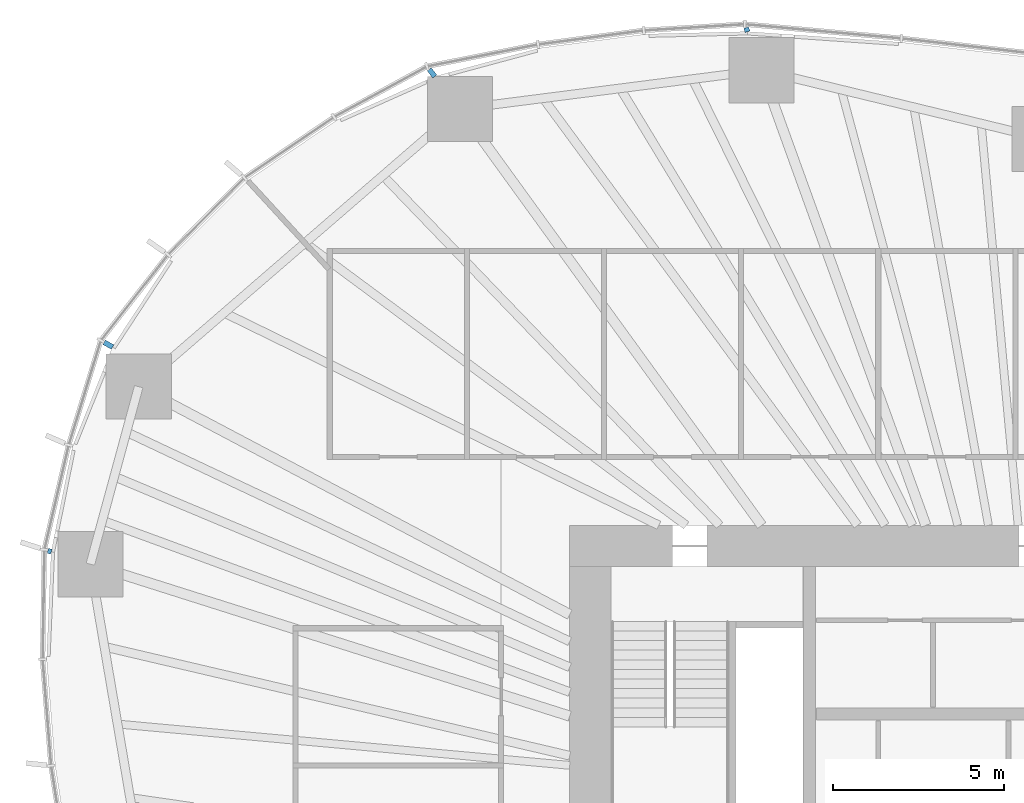
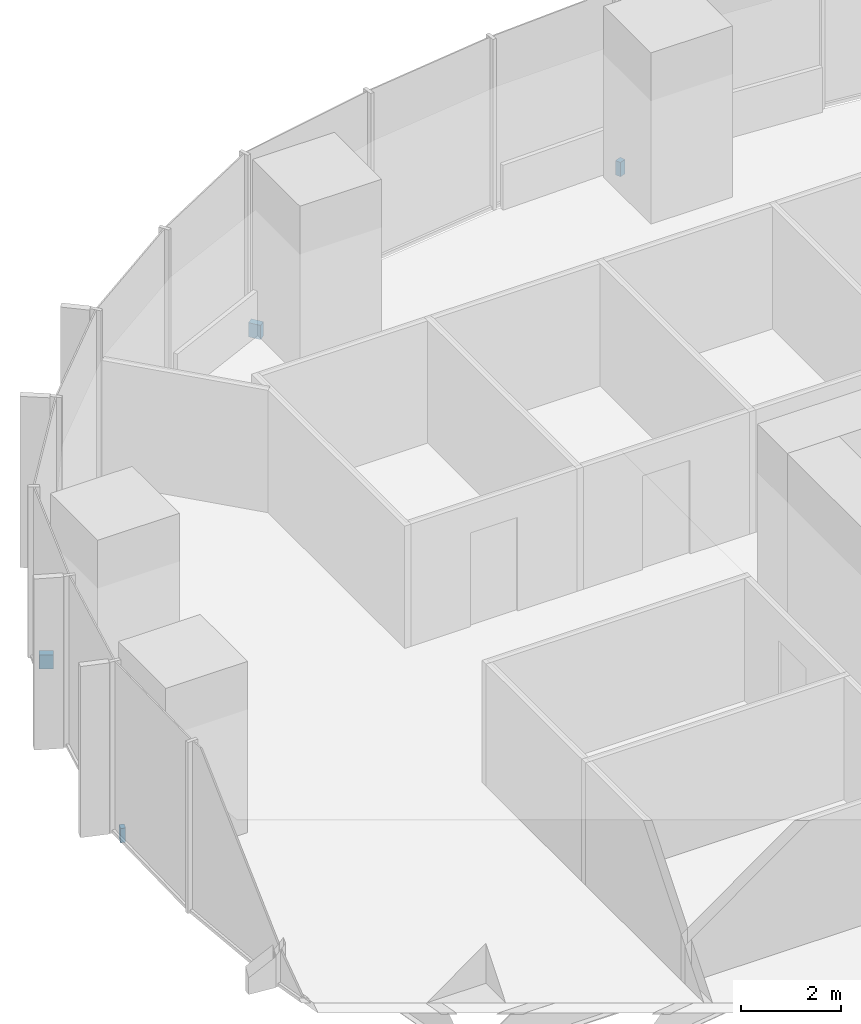
# One storey, part 15 of 20: 4 discrete accessories.
"""IFC4 building model written with IfcOpenShell, lengths in metres."""

from ifc_helpers import new_model, si_unit, direction, frame, origin, origin_2d, place, context, subcontext, project, spatial, rectangle, extrude, material, type_object, element, save


model = new_model("IFC4")

# Units and contexts
model_context = context("Model", 3, precision=1e-05, world=origin(), true_north=direction((0.0, 1.0)))
body_context = subcontext(model_context, "Body", "Model", "MODEL_VIEW")
ifc_project = project(units=[si_unit("LENGTHUNIT", "METRE"), si_unit("AREAUNIT", "SQUARE_METRE"), si_unit("VOLUMEUNIT", "CUBIC_METRE"), si_unit("PLANEANGLEUNIT", "RADIAN"), si_unit("MASSUNIT", "GRAM", prefix="KILO")], contexts=[model_context])

# Site, building, storey
site_placement = place(None, origin())
site = spatial("IfcSite", under=ifc_project, at=site_placement, CompositionType="ELEMENT")
building_placement = place(site_placement, origin())
building = spatial("IfcBuilding", under=site, at=building_placement, Name="Ghaith Harvest Tower", CompositionType="ELEMENT")
storey_placement = place(building_placement, frame((0.0, 0.0, 109.199951171875)))
storey = spatial("IfcBuildingStorey", under=building, at=storey_placement, Name="L22", CompositionType="ELEMENT", Elevation=109.199951171875)

# Discrete accessories
ifc_material_1 = material(Name="Stainless steel grade 1.4401", Category="steel")
discrete_accessory_type_1 = type_object("IfcDiscreteAccessoryType", Name="CURTAIN WALL BRACKET 105", PredefinedType="BRACKET", material=ifc_material_1)
discrete_accessory_1_placement = place(storey_placement, frame((-29.171875, 9.2451171875, -0.25), z_axis=(0.0, 0.0, 1.0), x_axis=(-0.953273219358, 0.302109531884, 0.0)))
element("IfcDiscreteAccessory", 1, at=discrete_accessory_1_placement, inside=storey, type_object=discrete_accessory_type_1, Name="CW-L bracket 1 bay 10 L22", PredefinedType="BRACKET", context=body_context, shape_type="SweptSolid", body=[
    extrude(rectangle(XDim=0.10498046875, YDim=0.14990234375, at=origin_2d()), origin(), (0.0, 0.0, 1.0), 0.35009765625),
])
ifc_material_2 = material(Name="Stainless steel grade 1.4401", Category="steel")
discrete_accessory_type_2 = type_object("IfcDiscreteAccessoryType", Name="CURTAIN WALL BRACKET 125", PredefinedType="BRACKET", material=ifc_material_2)
discrete_accessory_2_placement = place(storey_placement, frame((-8.833984375, 24.45849609375, -0.25), z_axis=(0.0, 0.0, 1.0), x_axis=(-0.339699453402, 0.94053404051, 0.0)))
element("IfcDiscreteAccessory", 2, at=discrete_accessory_2_placement, inside=storey, type_object=discrete_accessory_type_2, Name="CW-L bracket 1 bay 07 L22", PredefinedType="BRACKET", context=body_context, shape_type="SweptSolid", body=[
    extrude(rectangle(XDim=0.125, YDim=0.14990234375, at=origin_2d()), origin(), (0.0, 0.0, 1.0), 0.35009765625),
])
ifc_material_3 = material(Name="Stainless steel grade 1.4401", Category="steel")
discrete_accessory_type_3 = type_object("IfcDiscreteAccessoryType", Name="CURTAIN WALL BRACKET 265", PredefinedType="BRACKET", material=ifc_material_3)
discrete_accessory_3_placement = place(storey_placement, frame((-18.0166015625, 23.197998046875, -0.25), z_axis=(0.0, 0.0, 1.0), x_axis=(-0.613377714422, 0.78978970584, 0.0)))
element("IfcDiscreteAccessory", 3, at=discrete_accessory_3_placement, inside=storey, type_object=discrete_accessory_type_3, Name="CW-L bracket 1 bay 08 L22", PredefinedType="BRACKET", context=body_context, shape_type="SweptSolid", body=[
    extrude(rectangle(XDim=0.264892578125, YDim=0.14990234375, at=origin_2d()), origin(), (0.0, 0.0, 1.0), 0.35009765625),
])
ifc_material_4 = material(Name="Stainless steel grade 1.4401", Category="steel")
discrete_accessory_type_4 = type_object("IfcDiscreteAccessoryType", Name="CURTAIN WALL BRACKET 285", PredefinedType="BRACKET", material=ifc_material_4)
discrete_accessory_4_placement = place(storey_placement, frame((-27.45849609375, 15.271728515625, -0.25), z_axis=(0.0, 0.0, 1.0), x_axis=(-0.873926916005, 0.486057347935, 0.0)))
element("IfcDiscreteAccessory", 4, at=discrete_accessory_4_placement, inside=storey, type_object=discrete_accessory_type_4, Name="CW-L bracket 2 bay 09 L22", PredefinedType="BRACKET", context=body_context, shape_type="SweptSolid", body=[
    extrude(rectangle(XDim=0.284912109375, YDim=0.14990234375, at=origin_2d()), origin(), (0.0, 0.0, 1.0), 0.35009765625),
])

save(model, "model.ifc")
